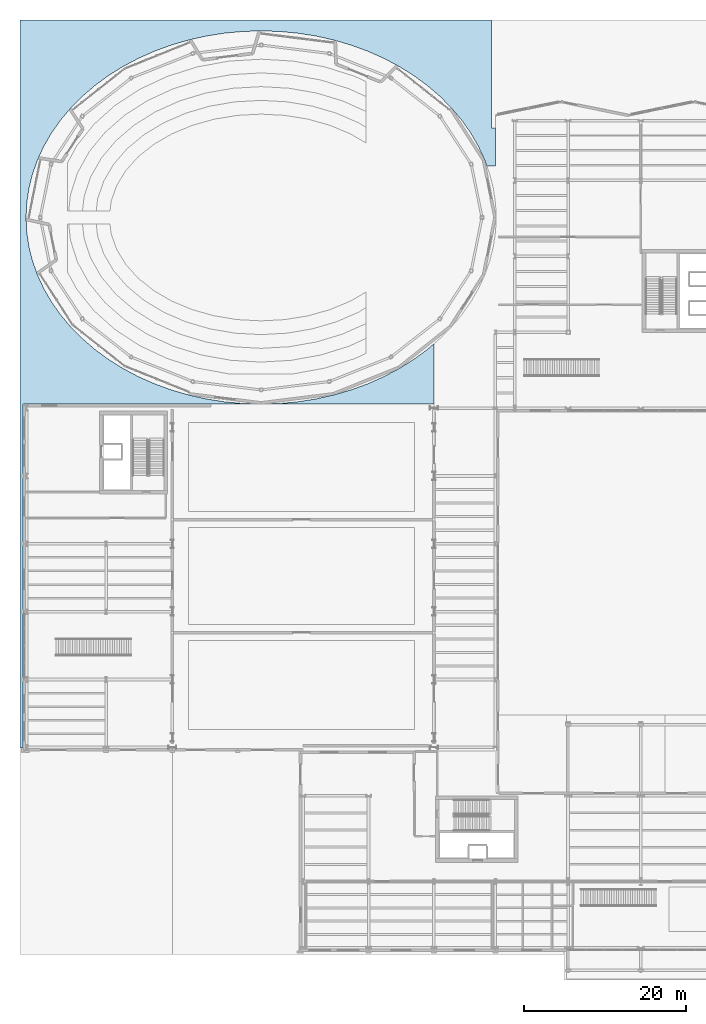
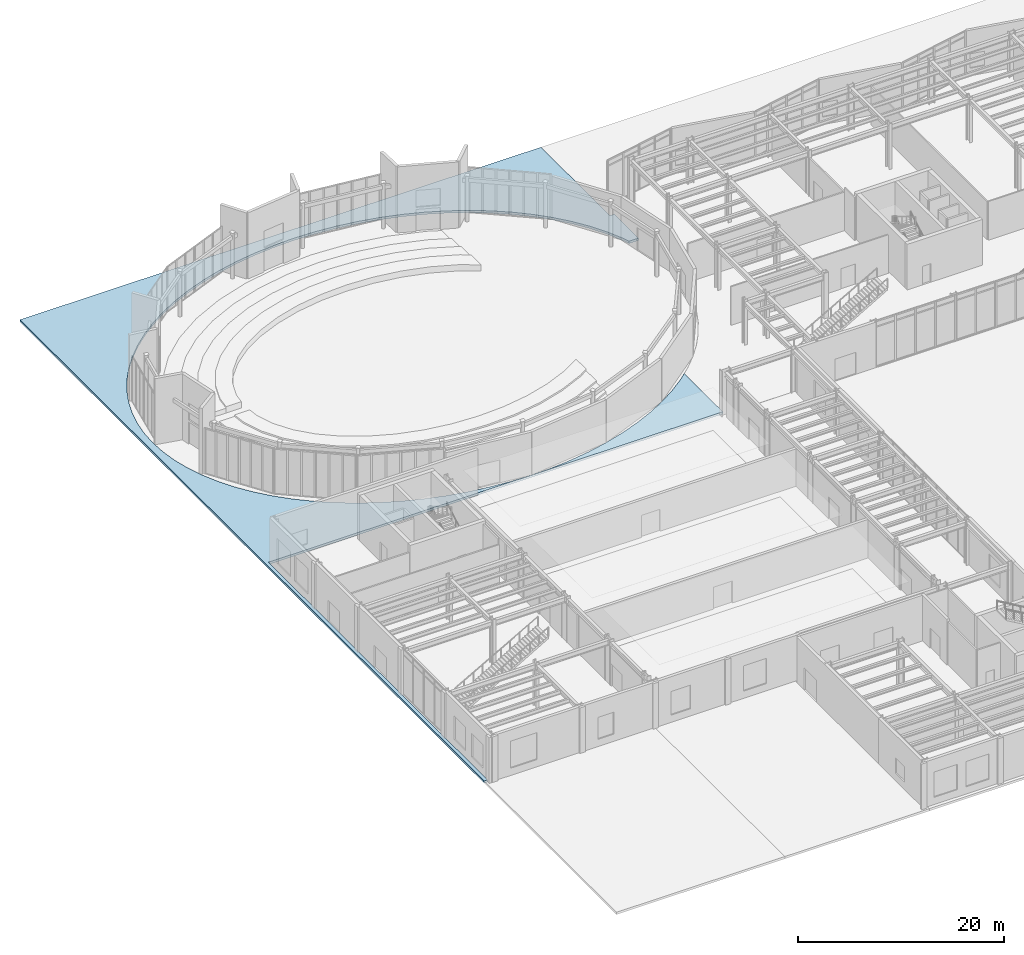
# One storey, part 65 of 94: 1 slab.
"""IFC4 building model written with IfcOpenShell, lengths in metres."""

from ifc_helpers import new_model, si_unit, direction, frame, origin, place, context, subcontext, project, spatial, polyline, outline, extrude, material, layer, layer_set, type_object, element, save


model = new_model("IFC4")

# Units and contexts
model_context = context("Model", 3, precision=1e-05, world=origin(), true_north=direction((0.0, 1.0)))
body_context = subcontext(model_context, "Body", "Model", "MODEL_VIEW")
ifc_project = project(units=[si_unit("LENGTHUNIT", "METRE"), si_unit("AREAUNIT", "SQUARE_METRE"), si_unit("VOLUMEUNIT", "CUBIC_METRE"), si_unit("PLANEANGLEUNIT", "RADIAN"), si_unit("MASSUNIT", "GRAM", prefix="KILO")], contexts=[model_context])

# Site, building, storey
site_placement = place(None, origin())
site = spatial("IfcSite", under=ifc_project, at=site_placement, CompositionType="ELEMENT")
building_placement = place(site_placement, origin())
building = spatial("IfcBuilding", under=site, at=building_placement, Name="Sollismere Congress Hotel", CompositionType="ELEMENT")
storey_placement = place(building_placement, origin())
storey = spatial("IfcBuildingStorey", under=building, at=storey_placement, Name="L00", CompositionType="ELEMENT", Elevation=0.0)

# Slab
ifc_material = material(Name="Precast Concrete C40/50", Category="concrete")
ifc_layer = layer(ifc_material, 0.264892578125, Name="Precast Concrete C40/50")
ifc_layer_set = layer_set([ifc_layer], Name="Precast Concrete C40/50")
slab_type = type_object("IfcSlabType", Name="SL-PAV150", PredefinedType="USERDEFINED", material=ifc_layer_set)
slab_placement = place(storey_placement, frame((0.0, 0.0, -0.264892578125)))
element("IfcSlab", 1, at=slab_placement, inside=storey, type_object=slab_type, Name="Slab SL-L00-PVA2", ObjectType="EXTERIOR PAVING", PredefinedType="USERDEFINED", context=body_context, shape_type="SweptSolid", body=[
    extrude(outline(polyline([(58.0, 96.800048828125), (58.0, 101.5), (57.5, 101.5), (57.5, 114.85009765625), (-0.85009765625, 114.85009765625), (-0.85009765625, 24.800048828125), (-0.47998046875, 24.800048828125), (-0.47998046875, 67.280029296875), (50.39990234375, 67.280029296875), (50.39990234375, 74.772705078125), (49.576904296875, 74.06591796875), (47.89892578125, 72.834716796875), (46.1044921875, 71.711669921875), (44.20458984375, 70.7041015625), (42.211181640625, 69.817626953125), (40.135986328125, 69.058349609375), (37.992431640625, 68.4306640625), (35.793212890625, 67.938232421875), (33.55224609375, 67.58447265625), (31.283203125, 67.37109375), (29.0, 67.300048828125), (26.716796875, 67.37109375), (24.44775390625, 67.58447265625), (22.206787109375, 67.938232421875), (20.007568359375, 68.4306640625), (17.864013671875, 69.058349609375), (15.788818359375, 69.817626953125), (13.79541015625, 70.7041015625), (11.8955078125, 71.711669921875), (10.10107421875, 72.834716796875), (8.423095703125, 74.06591796875), (6.872314453125, 75.397705078125), (5.45751953125, 76.822265625), (4.188232421875, 78.330322265625), (3.07177734375, 79.912841796875), (2.114990234375, 81.56005859375), (1.32421875, 83.26171875), (0.7041015625, 85.00732421875), (0.25830078125, 86.786376953125), (-0.01025390625, 88.587646484375), (-0.10009765625, 90.39990234375), (-0.01025390625, 92.21240234375), (0.25830078125, 94.013671875), (0.7041015625, 95.79248046875), (1.32421875, 97.538330078125), (2.114990234375, 99.239990234375), (3.07177734375, 100.88720703125), (4.188232421875, 102.4697265625), (5.45751953125, 103.977783203125), (6.872314453125, 105.402099609375), (8.423095703125, 106.734130859375), (10.10107421875, 107.96533203125), (11.8955078125, 109.08837890625), (13.79541015625, 110.095947265625), (15.788818359375, 110.982421875), (17.864013671875, 111.74169921875), (20.007568359375, 112.369384765625), (22.206787109375, 112.86181640625), (24.44775390625, 113.215576171875), (26.716796875, 113.4287109375), (29.0, 113.5), (31.283203125, 113.4287109375), (33.55224609375, 113.215576171875), (35.793212890625, 112.86181640625), (37.992431640625, 112.369384765625), (40.135986328125, 111.74169921875), (42.211181640625, 110.982421875), (44.20458984375, 110.095947265625), (46.1044921875, 109.08837890625), (47.89892578125, 107.96533203125), (49.576904296875, 106.734130859375), (51.127685546875, 105.402099609375), (52.54248046875, 103.977783203125), (53.811767578125, 102.4697265625), (54.92822265625, 100.88720703125), (55.885009765625, 99.239990234375), (56.67578125, 97.538330078125), (56.93798828125, 96.800048828125), (58.0, 96.800048828125)])), origin(), (0.0, 0.0, 1.0), 0.264892578125),
])

save(model, "model.ifc")
